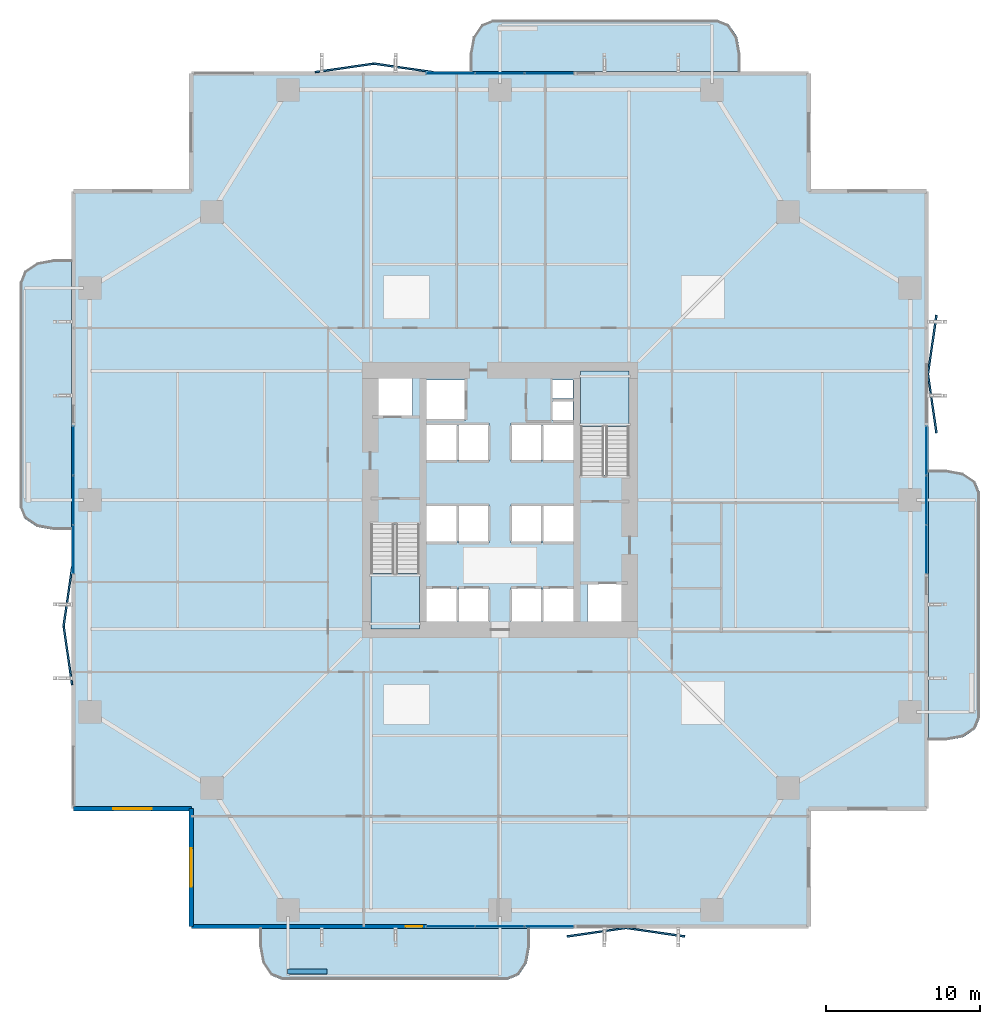
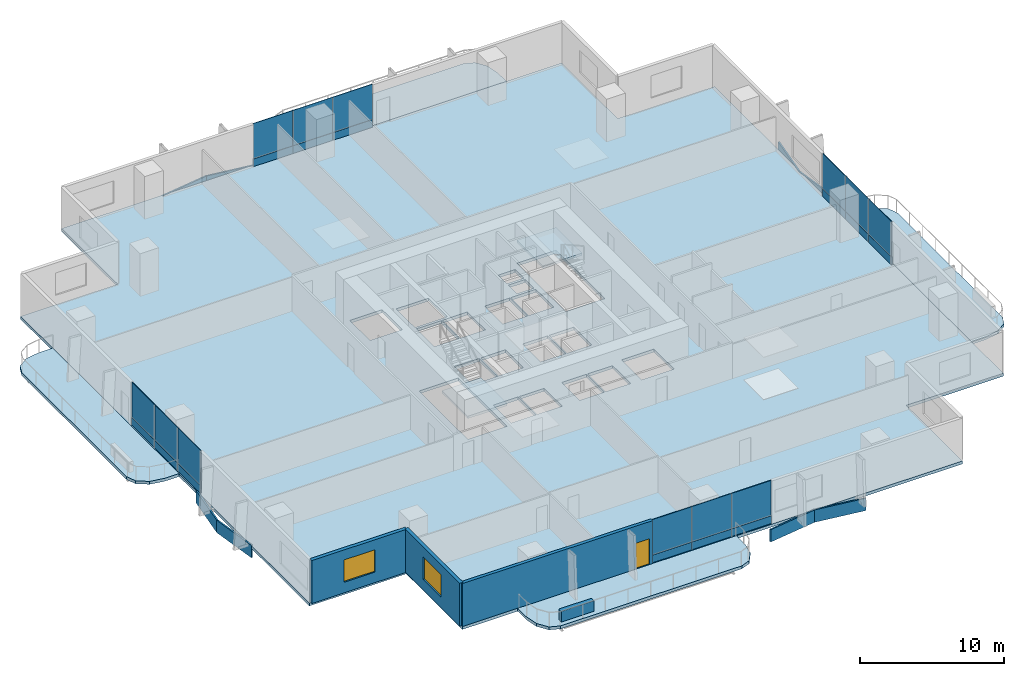
# One storey, part 16 of 23: 32 plates, 7 slabs, 4 walls, 2 windows, 1 door, 3 openings, 6 elements without a shape of their own.
"""IFC4 building model written with IfcOpenShell, lengths in metres."""

from ifc_helpers import new_model, si_unit, direction, frame, frame_2d, origin, origin_2d, place, context, subcontext, project, spatial, polyline, rectangle, outline, extrude, material, layer, layer_set, type_object, element, fill, aggregate, save


model = new_model("IFC4")

# Units and contexts
model_context = context("Model", 3, precision=1e-05, world=origin(), true_north=direction((0.0, 1.0)))
body_context = subcontext(model_context, "Body", "Model", "MODEL_VIEW")
ifc_project = project(units=[si_unit("LENGTHUNIT", "METRE"), si_unit("AREAUNIT", "SQUARE_METRE"), si_unit("VOLUMEUNIT", "CUBIC_METRE"), si_unit("PLANEANGLEUNIT", "RADIAN"), si_unit("MASSUNIT", "GRAM", prefix="KILO")], contexts=[model_context])

# Site, building, storey
site_placement = place(None, origin())
site = spatial("IfcSite", under=ifc_project, at=site_placement, CompositionType="ELEMENT")
building_placement = place(site_placement, origin())
building = spatial("IfcBuilding", under=site, at=building_placement, Name="Belovzor Exchange Tower", CompositionType="ELEMENT")
storey_placement = place(building_placement, frame((0.0, 0.0, 88.5)))
storey = spatial("IfcBuildingStorey", under=building, at=storey_placement, Name="L21", CompositionType="ELEMENT", Elevation=88.5)

# Slab
ifc_material_1 = material(Name="Concrete C40/50", Category="concrete")
ifc_layer_1 = layer(ifc_material_1, 0.25)
ifc_layer_set_1 = layer_set([ifc_layer_1], Name="Concrete C40/50")
slab_type_1 = type_object("IfcSlabType", Name="Composite Concrete Floor Deck Slab 250", PredefinedType="FLOOR", material=ifc_layer_set_1)
slab_1_placement = place(storey_placement, frame((0.0, 0.0, -0.25)))
element("IfcSlab", 1, at=slab_1_placement, inside=storey, type_object=slab_type_1, Name="SL-F250 Structural Slab L21", PredefinedType="FLOOR", context=body_context, shape_type="SweptSolid", body=[
    extrude(outline(polyline([(8.699951171875, 0.89990234375), (48.89990234375, 0.89990234375), (48.89990234375, 8.699951171875), (56.699951171875, 8.699951171875), (56.699951171875, 48.89990234375), (48.89990234375, 48.89990234375), (48.89990234375, 56.699951171875), (8.699951171875, 56.699951171875), (8.699951171875, 48.89990234375), (0.89990234375, 48.89990234375), (0.89990234375, 8.699951171875), (8.699951171875, 8.699951171875), (8.699951171875, 0.89990234375)]), holes=[polyline([(20.39990234375, 27.175048828125), (20.39990234375, 20.39990234375), (23.550048828125, 20.39990234375), (23.550048828125, 27.175048828125), (20.39990234375, 27.175048828125)]), polyline([(37.199951171875, 30.425048828125), (37.199951171875, 37.199951171875), (34.050048828125, 37.199951171875), (34.050048828125, 30.425048828125), (37.199951171875, 30.425048828125)]), polyline([(20.5, 34.199951171875), (23.10009765625, 34.199951171875), (23.10009765625, 37.0), (20.5, 37.0), (20.5, 34.199951171875)]), polyline([(34.5, 20.60009765625), (37.10009765625, 20.60009765625), (37.10009765625, 23.39990234375), (34.5, 23.39990234375), (34.5, 20.60009765625)]), polyline([(24.0, 34.0), (26.60009765625, 34.0), (26.60009765625, 36.60009765625), (24.0, 36.60009765625), (24.0, 34.0)]), polyline([(24.0, 20.60009765625), (26.0, 20.60009765625), (26.0, 23.10009765625), (24.0, 23.10009765625), (24.0, 20.60009765625)]), polyline([(26.10009765625, 20.60009765625), (28.10009765625, 20.60009765625), (28.10009765625, 23.10009765625), (26.10009765625, 23.10009765625), (26.10009765625, 20.60009765625)]), polyline([(29.5, 20.60009765625), (31.5, 20.60009765625), (31.5, 23.10009765625), (29.5, 23.10009765625), (29.5, 20.60009765625)]), polyline([(31.60009765625, 20.60009765625), (33.60009765625, 20.60009765625), (33.60009765625, 23.10009765625), (31.60009765625, 23.10009765625), (31.60009765625, 20.60009765625)]), polyline([(24.0, 26.0), (26.0, 26.0), (26.0, 28.5), (24.0, 28.5), (24.0, 26.0)]), polyline([(26.10009765625, 26.0), (28.10009765625, 26.0), (28.10009765625, 28.5), (26.10009765625, 28.5), (26.10009765625, 26.0)]), polyline([(29.5, 26.0), (31.5, 26.0), (31.5, 28.5), (29.5, 28.5), (29.5, 26.0)]), polyline([(31.60009765625, 26.0), (33.60009765625, 26.0), (33.60009765625, 28.5), (31.60009765625, 28.5), (31.60009765625, 26.0)]), polyline([(24.0, 31.300048828125), (26.0, 31.300048828125), (26.0, 33.800048828125), (24.0, 33.800048828125), (24.0, 31.300048828125)]), polyline([(26.10009765625, 31.300048828125), (28.10009765625, 31.300048828125), (28.10009765625, 33.800048828125), (26.10009765625, 33.800048828125), (26.10009765625, 31.300048828125)]), polyline([(29.5, 31.300048828125), (31.5, 31.300048828125), (31.5, 33.800048828125), (29.5, 33.800048828125), (29.5, 31.300048828125)]), polyline([(31.60009765625, 31.300048828125), (33.60009765625, 31.300048828125), (33.60009765625, 33.800048828125), (31.60009765625, 33.800048828125), (31.60009765625, 31.300048828125)]), polyline([(32.199951171875, 34.0), (33.550048828125, 34.0), (33.550048828125, 35.199951171875), (32.199951171875, 35.199951171875), (32.199951171875, 34.0)]), polyline([(32.199951171875, 35.39990234375), (33.550048828125, 35.39990234375), (33.550048828125, 36.60009765625), (32.199951171875, 36.60009765625), (32.199951171875, 35.39990234375)])]), origin(), (0.0, 0.0, 1.0), 0.25),
])

# Plates
ifc_material_2 = material(Name="Extruded Architectural Terracotta", Category="masonry")
ifc_layer_2 = layer(ifc_material_2, 0.1201171875)
ifc_layer_set_2 = layer_set([ifc_layer_2], Name="Extruded Architectural Terracotta")
plate_type_1 = type_object("IfcPlateType", Name="Folded Zigzag Terracotta Spandrel Louvre 80", PredefinedType="USERDEFINED", material=ifc_layer_set_2)
for number, where, z_axis, x_axis, name in (
    (2, (18.699951171875, 56.93505859375, -1.03515625), (0.0, 0.0, 1.0), (0.989686419138, 0.143250800258, 0.0), "LVR-ZZ1 Zigzag Terracotta Spandrel Louvre L21 N1A"),
    (3, (22.5, 56.93505859375, -1.03515625), (0.0, 0.0, 1.0), (0.989686419138, -0.143250800258, 0.0), "LVR-ZZ1 Zigzag Terracotta Spandrel Louvre L21 N1B"),
    (4, (0.6650390625, 18.699951171875, -1.03515625), (0.0, 0.0, 1.0), (-0.143250800258, 0.989686419138, 0.0), "LVR-ZZ1 Zigzag Terracotta Spandrel Louvre L21 W1A"),
    (5, (0.6650390625, 22.5, -1.03515625), (0.0, 0.0, 1.0), (0.143250800258, 0.989686419138, 0.0), "LVR-ZZ1 Zigzag Terracotta Spandrel Louvre L21 W1B"),
    (6, (35.10009765625, 0.6650390625, -1.03515625), (0.0, 0.0, 1.0), (0.989686419138, 0.143250800258, 0.0), "LVR-ZZ1 Zigzag Terracotta Spandrel Louvre L21 S2A"),
    (7, (38.89990234375, 0.6650390625, -1.03515625), (0.0, 0.0, 1.0), (0.989686419138, -0.143250800258, 0.0), "LVR-ZZ1 Zigzag Terracotta Spandrel Louvre L21 S2B"),
    (8, (56.93505859375, 35.10009765625, -1.03515625), (0.0, 0.0, 1.0), (-0.143250800258, 0.989686419138, 0.0), "LVR-ZZ1 Zigzag Terracotta Spandrel Louvre L21 E2A"),
    (9, (56.93505859375, 38.89990234375, -1.03515625), (0.0, 0.0, 1.0), (0.143250800258, 0.989686419138, 0.0), "LVR-ZZ1 Zigzag Terracotta Spandrel Louvre L21 E2B"),
):
    element("IfcPlate", number, at=place(storey_placement, frame(where, z_axis=z_axis, x_axis=x_axis)), inside=storey, type_object=plate_type_1, Name=name, ObjectType="SPANDREL_LOUVRE", PredefinedType="USERDEFINED", context=body_context, shape_type="SweptSolid", body=[
        extrude(rectangle(XDim=3.919921875, YDim=0.1201171875, at=origin_2d()), origin(), (0.0, 0.0, 1.0), 1.050048828125),
    ])

# Curtain wall, plates
ifc_material_3 = material(Name="Anodised Aluminium Framing", Category="aluminium")
ifc_layer_3 = layer(ifc_material_3, 0.179931640625)
ifc_layer_set_3 = layer_set([ifc_layer_3], Name="Anodised Aluminium Framing")
curtain_wall_type = type_object("IfcCurtainWallType", Name="Recessed Loggia Low-Iron Triple-Glazed Curtain Wall", PredefinedType="NOTDEFINED", material=ifc_layer_set_3)
curtain_wall_1_placement = place(storey_placement, origin())
curtain_wall_1 = element("IfcCurtainWall", 10, at=curtain_wall_1_placement, inside=storey, type_object=curtain_wall_type, Name="CW3 Recessed Loggia Low-Iron Triple-Glazed Curtain Wall L21", PredefinedType="NOTDEFINED")
ifc_material_4 = material(Name="Solar-Control Triple Glazing", Category="glass")
ifc_layer_4 = layer(ifc_material_4, 0.0439453125)
ifc_layer_set_4 = layer_set([ifc_layer_4], Name="Solar-Control Triple Glazing")
plate_type_2 = type_object("IfcPlateType", Name="Insulated Solar Glazing Curtain Panel 44", PredefinedType="CURTAIN_PANEL", material=ifc_layer_set_4)
plate_1_placement = place(storey_placement, frame((32.0, 1.030029296875, 0.65185546875), z_axis=(0.0, 0.0, 1.0), x_axis=(-1.0, 0.0, 0.0)))
plate_1 = element("IfcPlate", 11, at=plate_1_placement, type_object=plate_type_2, Name="GLZ-44 Glazed Curtain Panel 1", PredefinedType="CURTAIN_PANEL", context=body_context, shape_type="SweptSolid", body=[
    extrude(rectangle(XDim=3.18408203125, YDim=0.0439453125, at=origin_2d()), origin(), (0.0, 0.0, 1.0), 2.998046875),
])
plate_2_placement = place(storey_placement, frame((28.800048828125, 1.030029296875, 0.65185546875), z_axis=(0.0, 0.0, 1.0), x_axis=(-1.0, 0.0, 0.0)))
plate_2 = element("IfcPlate", 12, at=plate_2_placement, type_object=plate_type_2, Name="GLZ-44 Glazed Curtain Panel 2", PredefinedType="CURTAIN_PANEL", context=body_context, shape_type="SweptSolid", body=[
    extrude(rectangle(XDim=3.18408203125, YDim=0.0439453125, at=origin_2d()), origin(), (0.0, 0.0, 1.0), 2.998046875),
])
plate_3_placement = place(storey_placement, frame((25.60009765625, 1.030029296875, 0.65185546875), z_axis=(0.0, 0.0, 1.0), x_axis=(-1.0, 0.0, 0.0)))
plate_3 = element("IfcPlate", 13, at=plate_3_placement, type_object=plate_type_2, Name="GLZ-44 Glazed Curtain Panel 3", PredefinedType="CURTAIN_PANEL", context=body_context, shape_type="SweptSolid", body=[
    extrude(rectangle(XDim=3.18408203125, YDim=0.0439453125, at=origin_2d()), origin(), (0.0, 0.0, 1.0), 2.998046875),
])

curtain_wall_2_placement = place(storey_placement, origin())
curtain_wall_2 = element("IfcCurtainWall", 14, at=curtain_wall_2_placement, inside=storey, type_object=curtain_wall_type, Name="CW3 Recessed Loggia Low-Iron Triple-Glazed Curtain Wall L21", PredefinedType="NOTDEFINED")
plate_4_placement = place(storey_placement, frame((25.60009765625, 56.570068359375, 0.65185546875), z_axis=(0.0, 0.0, 1.0), x_axis=(1.0, 0.0, 0.0)))
plate_4 = element("IfcPlate", 15, at=plate_4_placement, type_object=plate_type_2, Name="GLZ-44 Glazed Curtain Panel 1", PredefinedType="CURTAIN_PANEL", context=body_context, shape_type="SweptSolid", body=[
    extrude(rectangle(XDim=3.18408203125, YDim=0.0439453125, at=origin_2d()), origin(), (0.0, 0.0, 1.0), 2.998046875),
])
plate_5_placement = place(storey_placement, frame((28.800048828125, 56.570068359375, 0.65185546875), z_axis=(0.0, 0.0, 1.0), x_axis=(1.0, 0.0, 0.0)))
plate_5 = element("IfcPlate", 16, at=plate_5_placement, type_object=plate_type_2, Name="GLZ-44 Glazed Curtain Panel 2", PredefinedType="CURTAIN_PANEL", context=body_context, shape_type="SweptSolid", body=[
    extrude(rectangle(XDim=3.18408203125, YDim=0.0439453125, at=origin_2d()), origin(), (0.0, 0.0, 1.0), 2.998046875),
])
plate_6_placement = place(storey_placement, frame((32.0, 56.570068359375, 0.65185546875), z_axis=(0.0, 0.0, 1.0), x_axis=(1.0, 0.0, 0.0)))
plate_6 = element("IfcPlate", 17, at=plate_6_placement, type_object=plate_type_2, Name="GLZ-44 Glazed Curtain Panel 3", PredefinedType="CURTAIN_PANEL", context=body_context, shape_type="SweptSolid", body=[
    extrude(rectangle(XDim=3.18408203125, YDim=0.0439453125, at=origin_2d()), origin(), (0.0, 0.0, 1.0), 2.998046875),
])

curtain_wall_3_placement = place(storey_placement, origin())
curtain_wall_3 = element("IfcCurtainWall", 18, at=curtain_wall_3_placement, inside=storey, type_object=curtain_wall_type, Name="CW3 Recessed Loggia Low-Iron Triple-Glazed Curtain Wall L21", PredefinedType="NOTDEFINED")
plate_7_placement = place(storey_placement, frame((1.030029296875, 25.60009765625, 0.65185546875), z_axis=(0.0, 0.0, 1.0), x_axis=(0.0, 1.0, 0.0)))
plate_7 = element("IfcPlate", 19, at=plate_7_placement, type_object=plate_type_2, Name="GLZ-44 Glazed Curtain Panel 1", PredefinedType="CURTAIN_PANEL", context=body_context, shape_type="SweptSolid", body=[
    extrude(rectangle(XDim=3.18408203125, YDim=0.0439453125, at=origin_2d()), origin(), (0.0, 0.0, 1.0), 2.998046875),
])
plate_8_placement = place(storey_placement, frame((1.030029296875, 28.800048828125, 0.65185546875), z_axis=(0.0, 0.0, 1.0), x_axis=(0.0, 1.0, 0.0)))
plate_8 = element("IfcPlate", 20, at=plate_8_placement, type_object=plate_type_2, Name="GLZ-44 Glazed Curtain Panel 2", PredefinedType="CURTAIN_PANEL", context=body_context, shape_type="SweptSolid", body=[
    extrude(rectangle(XDim=3.18408203125, YDim=0.0439453125, at=origin_2d()), origin(), (0.0, 0.0, 1.0), 2.998046875),
])
plate_9_placement = place(storey_placement, frame((1.030029296875, 32.0, 0.65185546875), z_axis=(0.0, 0.0, 1.0), x_axis=(0.0, 1.0, 0.0)))
plate_9 = element("IfcPlate", 21, at=plate_9_placement, type_object=plate_type_2, Name="GLZ-44 Glazed Curtain Panel 3", PredefinedType="CURTAIN_PANEL", context=body_context, shape_type="SweptSolid", body=[
    extrude(rectangle(XDim=3.18408203125, YDim=0.0439453125, at=origin_2d()), origin(), (0.0, 0.0, 1.0), 2.998046875),
])

curtain_wall_4_placement = place(storey_placement, origin())
curtain_wall_4 = element("IfcCurtainWall", 22, at=curtain_wall_4_placement, inside=storey, type_object=curtain_wall_type, Name="CW3 Recessed Loggia Low-Iron Triple-Glazed Curtain Wall L21", PredefinedType="NOTDEFINED")
plate_10_placement = place(storey_placement, frame((56.570068359375, 32.0, 0.65185546875), z_axis=(0.0, 0.0, 1.0), x_axis=(0.0, -1.0, 0.0)))
plate_10 = element("IfcPlate", 23, at=plate_10_placement, type_object=plate_type_2, Name="GLZ-44 Glazed Curtain Panel 1", PredefinedType="CURTAIN_PANEL", context=body_context, shape_type="SweptSolid", body=[
    extrude(rectangle(XDim=3.18408203125, YDim=0.0439453125, at=origin_2d()), origin(), (0.0, 0.0, 1.0), 2.998046875),
])
plate_11_placement = place(storey_placement, frame((56.570068359375, 28.800048828125, 0.65185546875), z_axis=(0.0, 0.0, 1.0), x_axis=(0.0, -1.0, 0.0)))
plate_11 = element("IfcPlate", 24, at=plate_11_placement, type_object=plate_type_2, Name="GLZ-44 Glazed Curtain Panel 2", PredefinedType="CURTAIN_PANEL", context=body_context, shape_type="SweptSolid", body=[
    extrude(rectangle(XDim=3.18408203125, YDim=0.0439453125, at=origin_2d()), origin(), (0.0, 0.0, 1.0), 2.998046875),
])
plate_12_placement = place(storey_placement, frame((56.570068359375, 25.60009765625, 0.65185546875), z_axis=(0.0, 0.0, 1.0), x_axis=(0.0, -1.0, 0.0)))
plate_12 = element("IfcPlate", 25, at=plate_12_placement, type_object=plate_type_2, Name="GLZ-44 Glazed Curtain Panel 3", PredefinedType="CURTAIN_PANEL", context=body_context, shape_type="SweptSolid", body=[
    extrude(rectangle(XDim=3.18408203125, YDim=0.0439453125, at=origin_2d()), origin(), (0.0, 0.0, 1.0), 2.998046875),
])

# Stair, slab
ifc_material_5 = material(Name="Concrete C40/50", Category="concrete")
stair_type = type_object("IfcStairType", Name="Reinforced Concrete Dogleg Escape Stair 1350", PredefinedType="HALF_TURN_STAIR", material=ifc_material_5)
stair_1_placement = place(storey_placement, origin())
stair_1 = element("IfcStair", 26, at=stair_1_placement, inside=storey, type_object=stair_type, Name="L21 ST-1", PredefinedType="HALF_TURN_STAIR")
ifc_material_6 = material(Name="Concrete C40/50", Category="concrete")
ifc_layer_5 = layer(ifc_material_6, 0.199951171875)
ifc_layer_set_5 = layer_set([ifc_layer_5], Name="Concrete C40/50")
slab_type_2 = type_object("IfcSlabType", Name="Reinforced Concrete Stair Half-Landing Slab 200", PredefinedType="LANDING", material=ifc_layer_set_5)
slab_2_placement = place(storey_placement, frame((0.0, 0.0, 1.75)))
slab_2 = element("IfcSlab", 27, at=slab_2_placement, type_object=slab_type_2, Name="ST-1 landing 1", PredefinedType="LANDING", context=body_context, shape_type="SweptSolid", body=[
    extrude(outline(polyline([(20.39990234375, 24.010009765625), (20.39990234375, 20.39990234375), (23.550048828125, 20.39990234375), (23.550048828125, 24.010009765625), (20.39990234375, 24.010009765625)])), origin(), (0.0, 0.0, 1.0), 0.199951171875),
])
aggregate(stair_1, [slab_2])

stair_2_placement = place(storey_placement, origin())
stair_2 = element("IfcStair", 28, at=stair_2_placement, inside=storey, type_object=stair_type, Name="L21 ST-2", PredefinedType="HALF_TURN_STAIR")
slab_3_placement = place(storey_placement, frame((0.0, 0.0, 1.75)))
slab_3 = element("IfcSlab", 29, at=slab_3_placement, type_object=slab_type_2, Name="ST-2 landing 1", PredefinedType="LANDING", context=body_context, shape_type="SweptSolid", body=[
    extrude(outline(polyline([(37.199951171875, 33.590087890625), (37.199951171875, 37.199951171875), (34.050048828125, 37.199951171875), (34.050048828125, 33.590087890625), (37.199951171875, 33.590087890625)])), origin(), (0.0, 0.0, 1.0), 0.199951171875),
])
aggregate(stair_2, [slab_3])

# Plate
ifc_material_7 = material(Name="Extruded Architectural Terracotta", Category="masonry")
ifc_layer_6 = layer(ifc_material_7, 0.090087890625)
ifc_layer_set_6 = layer_set([ifc_layer_6], Name="Extruded Architectural Terracotta")
plate_type_3 = type_object("IfcPlateType", Name="Terracotta Shadow-Box Spandrel Panel 90", PredefinedType="CURTAIN_PANEL", material=ifc_layer_set_6)
plate_13_placement = place(storey_placement, frame((32.0, 1.030029296875, 0.0), z_axis=(0.0, 0.0, 1.0), x_axis=(-1.0, 0.0, 0.0)))
plate_13 = element("IfcPlate", 30, at=plate_13_placement, type_object=plate_type_3, Name="SPD-90 Spandrel Panel 1", PredefinedType="CURTAIN_PANEL", context=body_context, shape_type="SweptSolid", body=[
    extrude(rectangle(XDim=3.18408203125, YDim=0.090087890625, at=origin_2d()), origin(), (0.0, 0.0, 1.0), 0.64794921875),
])

plate_14_placement = place(storey_placement, frame((28.800048828125, 1.030029296875, 0.0), z_axis=(0.0, 0.0, 1.0), x_axis=(-1.0, 0.0, 0.0)))
plate_14 = element("IfcPlate", 31, at=plate_14_placement, type_object=plate_type_3, Name="SPD-90 Spandrel Panel 2", PredefinedType="CURTAIN_PANEL", context=body_context, shape_type="SweptSolid", body=[
    extrude(rectangle(XDim=3.18408203125, YDim=0.090087890625, at=origin_2d()), origin(), (0.0, 0.0, 1.0), 0.64794921875),
])

plate_15_placement = place(storey_placement, frame((25.60009765625, 1.030029296875, 0.0), z_axis=(0.0, 0.0, 1.0), x_axis=(-1.0, 0.0, 0.0)))
plate_15 = element("IfcPlate", 32, at=plate_15_placement, type_object=plate_type_3, Name="SPD-90 Spandrel Panel 3", PredefinedType="CURTAIN_PANEL", context=body_context, shape_type="SweptSolid", body=[
    extrude(rectangle(XDim=3.18408203125, YDim=0.090087890625, at=origin_2d()), origin(), (0.0, 0.0, 1.0), 0.64794921875),
])

aggregate(curtain_wall_1, [plate_13, plate_1, plate_14, plate_2, plate_15, plate_3])

plate_16_placement = place(storey_placement, frame((25.60009765625, 56.570068359375, 0.0), z_axis=(0.0, 0.0, 1.0), x_axis=(1.0, 0.0, 0.0)))
plate_16 = element("IfcPlate", 33, at=plate_16_placement, type_object=plate_type_3, Name="SPD-90 Spandrel Panel 1", PredefinedType="CURTAIN_PANEL", context=body_context, shape_type="SweptSolid", body=[
    extrude(rectangle(XDim=3.18408203125, YDim=0.090087890625, at=origin_2d()), origin(), (0.0, 0.0, 1.0), 0.64794921875),
])

plate_17_placement = place(storey_placement, frame((28.800048828125, 56.570068359375, 0.0), z_axis=(0.0, 0.0, 1.0), x_axis=(1.0, 0.0, 0.0)))
plate_17 = element("IfcPlate", 34, at=plate_17_placement, type_object=plate_type_3, Name="SPD-90 Spandrel Panel 2", PredefinedType="CURTAIN_PANEL", context=body_context, shape_type="SweptSolid", body=[
    extrude(rectangle(XDim=3.18408203125, YDim=0.090087890625, at=origin_2d()), origin(), (0.0, 0.0, 1.0), 0.64794921875),
])

plate_18_placement = place(storey_placement, frame((32.0, 56.570068359375, 0.0), z_axis=(0.0, 0.0, 1.0), x_axis=(1.0, 0.0, 0.0)))
plate_18 = element("IfcPlate", 35, at=plate_18_placement, type_object=plate_type_3, Name="SPD-90 Spandrel Panel 3", PredefinedType="CURTAIN_PANEL", context=body_context, shape_type="SweptSolid", body=[
    extrude(rectangle(XDim=3.18408203125, YDim=0.090087890625, at=origin_2d()), origin(), (0.0, 0.0, 1.0), 0.64794921875),
])

aggregate(curtain_wall_2, [plate_16, plate_4, plate_17, plate_5, plate_18, plate_6])

plate_19_placement = place(storey_placement, frame((1.030029296875, 25.60009765625, 0.0), z_axis=(0.0, 0.0, 1.0), x_axis=(0.0, 1.0, 0.0)))
plate_19 = element("IfcPlate", 36, at=plate_19_placement, type_object=plate_type_3, Name="SPD-90 Spandrel Panel 1", PredefinedType="CURTAIN_PANEL", context=body_context, shape_type="SweptSolid", body=[
    extrude(rectangle(XDim=3.18408203125, YDim=0.090087890625, at=origin_2d()), origin(), (0.0, 0.0, 1.0), 0.64794921875),
])

plate_20_placement = place(storey_placement, frame((1.030029296875, 28.800048828125, 0.0), z_axis=(0.0, 0.0, 1.0), x_axis=(0.0, 1.0, 0.0)))
plate_20 = element("IfcPlate", 37, at=plate_20_placement, type_object=plate_type_3, Name="SPD-90 Spandrel Panel 2", PredefinedType="CURTAIN_PANEL", context=body_context, shape_type="SweptSolid", body=[
    extrude(rectangle(XDim=3.18408203125, YDim=0.090087890625, at=origin_2d()), origin(), (0.0, 0.0, 1.0), 0.64794921875),
])

plate_21_placement = place(storey_placement, frame((1.030029296875, 32.0, 0.0), z_axis=(0.0, 0.0, 1.0), x_axis=(0.0, 1.0, 0.0)))
plate_21 = element("IfcPlate", 38, at=plate_21_placement, type_object=plate_type_3, Name="SPD-90 Spandrel Panel 3", PredefinedType="CURTAIN_PANEL", context=body_context, shape_type="SweptSolid", body=[
    extrude(rectangle(XDim=3.18408203125, YDim=0.090087890625, at=origin_2d()), origin(), (0.0, 0.0, 1.0), 0.64794921875),
])

aggregate(curtain_wall_3, [plate_19, plate_7, plate_20, plate_8, plate_21, plate_9])

plate_22_placement = place(storey_placement, frame((56.570068359375, 32.0, 0.0), z_axis=(0.0, 0.0, 1.0), x_axis=(0.0, -1.0, 0.0)))
plate_22 = element("IfcPlate", 39, at=plate_22_placement, type_object=plate_type_3, Name="SPD-90 Spandrel Panel 1", PredefinedType="CURTAIN_PANEL", context=body_context, shape_type="SweptSolid", body=[
    extrude(rectangle(XDim=3.18408203125, YDim=0.090087890625, at=origin_2d()), origin(), (0.0, 0.0, 1.0), 0.64794921875),
])

plate_23_placement = place(storey_placement, frame((56.570068359375, 28.800048828125, 0.0), z_axis=(0.0, 0.0, 1.0), x_axis=(0.0, -1.0, 0.0)))
plate_23 = element("IfcPlate", 40, at=plate_23_placement, type_object=plate_type_3, Name="SPD-90 Spandrel Panel 2", PredefinedType="CURTAIN_PANEL", context=body_context, shape_type="SweptSolid", body=[
    extrude(rectangle(XDim=3.18408203125, YDim=0.090087890625, at=origin_2d()), origin(), (0.0, 0.0, 1.0), 0.64794921875),
])

plate_24_placement = place(storey_placement, frame((56.570068359375, 25.60009765625, 0.0), z_axis=(0.0, 0.0, 1.0), x_axis=(0.0, -1.0, 0.0)))
plate_24 = element("IfcPlate", 41, at=plate_24_placement, type_object=plate_type_3, Name="SPD-90 Spandrel Panel 3", PredefinedType="CURTAIN_PANEL", context=body_context, shape_type="SweptSolid", body=[
    extrude(rectangle(XDim=3.18408203125, YDim=0.090087890625, at=origin_2d()), origin(), (0.0, 0.0, 1.0), 0.64794921875),
])

aggregate(curtain_wall_4, [plate_22, plate_10, plate_23, plate_11, plate_24, plate_12])

# Slabs
ifc_material_8 = material(Name="Concrete C40/50", Category="concrete")
ifc_layer_7 = layer(ifc_material_8, 0.25)
ifc_layer_set_7 = layer_set([ifc_layer_7], Name="Concrete C40/50")
slab_type_3 = type_object("IfcSlabType", Name="Thermally Broken Planted Balcony Slab 250", PredefinedType="FLOOR", material=ifc_layer_set_7)
slab_4_placement = place(storey_placement, frame((0.0, 0.0, -0.25)))
element("IfcSlab", 42, at=slab_4_placement, inside=storey, type_object=slab_type_3, Name="SL-BAL220 Planted Balcony Loggia L21 South", PredefinedType="FLOOR", context=body_context, shape_type="SweptSolid", body=[
    extrude(outline(polyline([(13.14990234375, 0.9150390625), (13.14990234375, -0.25), (13.35107421875, -1.35009765625), (13.89990234375, -2.155029296875), (14.64990234375, -2.449951171875), (29.25, -2.449951171875), (30.0, -2.155029296875), (30.549072265625, -1.35009765625), (30.75, -0.25), (30.75, 0.9150390625), (13.14990234375, 0.9150390625)])), origin(), (0.0, 0.0, 1.0), 0.25),
])
slab_5_placement = place(storey_placement, frame((0.0, 0.0, -0.25)))
element("IfcSlab", 43, at=slab_5_placement, inside=storey, type_object=slab_type_3, Name="SL-BAL220 Planted Balcony Loggia L21 North", PredefinedType="FLOOR", context=body_context, shape_type="SweptSolid", body=[
    extrude(outline(polyline([(44.449951171875, 56.68505859375), (44.449951171875, 57.85009765625), (44.2490234375, 58.949951171875), (43.699951171875, 59.7548828125), (42.949951171875, 60.050048828125), (28.35009765625, 60.050048828125), (27.60009765625, 59.7548828125), (27.051025390625, 58.949951171875), (26.85009765625, 57.85009765625), (26.85009765625, 56.68505859375), (44.449951171875, 56.68505859375)])), origin(), (0.0, 0.0, 1.0), 0.25),
])
slab_6_placement = place(storey_placement, frame((0.0, 0.0, -0.25)))
element("IfcSlab", 44, at=slab_6_placement, inside=storey, type_object=slab_type_3, Name="SL-BAL220 Planted Balcony Loggia L21 East", PredefinedType="FLOOR", context=body_context, shape_type="SweptSolid", body=[
    extrude(outline(polyline([(56.68505859375, 13.14990234375), (57.85009765625, 13.14990234375), (58.949951171875, 13.35107421875), (59.7548828125, 13.89990234375), (60.050048828125, 14.64990234375), (60.050048828125, 29.25), (59.7548828125, 30.0), (58.949951171875, 30.549072265625), (57.85009765625, 30.75), (56.68505859375, 30.75), (56.68505859375, 13.14990234375)])), origin(), (0.0, 0.0, 1.0), 0.25),
])
slab_7_placement = place(storey_placement, frame((0.0, 0.0, -0.25)))
element("IfcSlab", 45, at=slab_7_placement, inside=storey, type_object=slab_type_3, Name="SL-BAL220 Planted Balcony Loggia L21 West", PredefinedType="FLOOR", context=body_context, shape_type="SweptSolid", body=[
    extrude(outline(polyline([(0.9150390625, 44.449951171875), (-0.25, 44.449951171875), (-1.35009765625, 44.2490234375), (-2.155029296875, 43.699951171875), (-2.449951171875, 42.949951171875), (-2.449951171875, 28.35009765625), (-2.155029296875, 27.60009765625), (-1.35009765625, 27.051025390625), (-0.25, 26.85009765625), (0.9150390625, 26.85009765625), (0.9150390625, 44.449951171875)])), origin(), (0.0, 0.0, 1.0), 0.25),
])

# Wall, opening, window
ifc_material_9 = material(Name="Precast concrete C40/50", Category="concrete")
ifc_layer_8 = layer(ifc_material_9, 0.280029296875)
ifc_layer_set_8 = layer_set([ifc_layer_8], Name="Precast concrete C40/50")
wall_type_1 = type_object("IfcWallType", Name="Precast Concrete Notched Corner Frame Wall 280", PredefinedType="SOLIDWALL", material=ifc_layer_set_8)
wall_1_placement = place(storey_placement, frame((8.699951171875, 1.030029296875, 0.0), z_axis=(0.0, 0.0, 1.0), x_axis=(0.0, 1.0, 0.0)))
wall_1 = element("IfcWall", 46, at=wall_1_placement, inside=storey, type_object=wall_type_1, Name="W-CRN280 Precast Concrete Notched Corner Frame Wall 280 L21", PredefinedType="SOLIDWALL", context=body_context, shape_type="SweptSolid", body=[
    extrude(rectangle(XDim=7.669921875, YDim=0.280029296875, at=frame_2d((3.8349609375, 0.0))), origin(), (0.0, 0.0, 1.0), 3.64990234375),
])
opening_1_placement = place(wall_1_placement, frame((2.5849609375, 0.0, 0.89990234375)))
opening_1 = element("IfcOpeningElement", 47, at=opening_1_placement, cuts=wall_1, Name="Opening WN-CRN250", PredefinedType="OPENING", context=body_context, shape_type="SweptSolid", body=[
    extrude(rectangle(XDim=2.5, YDim=1.89990234375, at=frame_2d((1.25, 0.949951171875))), frame((0.0, 0.14990234375, 0.0), z_axis=(0.0, -1.0, 0.0), x_axis=(1.0, 0.0, 0.0)), (0.0, 0.0, 1.0), 0.300048828125),
])
ifc_material_10 = material(Name="Thermally Broken Aluminium and Triple Glazing", Category="aluminium")
window_type = type_object("IfcWindowType", Name="Streamline Moderne Corner Wrap Ribbon Window 2500x1900", PartitioningType="SINGLE_PANEL", PredefinedType="WINDOW", material=ifc_material_10)
window_1_placement = place(opening_1_placement, origin())
window_1 = element("IfcWindow", 48, at=window_1_placement, inside=storey, type_object=window_type, Name="WN-CRN250 Streamline Moderne Corner Wrap Ribbon Window 2500x1900", OverallHeight=1.89990234375, OverallWidth=2.5, PartitioningType="SINGLE_PANEL", PredefinedType="WINDOW", context=body_context, shape_type="SweptSolid", body=[
    extrude(rectangle(XDim=2.5, YDim=1.89990234375, at=frame_2d((1.25, 0.949951171875))), frame((0.0, 0.030029296875, 0.0), z_axis=(0.0, -1.0, 0.0), x_axis=(1.0, 0.0, 0.0)), (0.0, 0.0, 1.0), 0.06005859375),
])
fill(opening_1, window_1)

wall_2_placement = place(storey_placement, frame((8.699951171875, 8.699951171875, 0.0), z_axis=(0.0, 0.0, 1.0), x_axis=(-1.0, 0.0, 0.0)))
wall_2 = element("IfcWall", 49, at=wall_2_placement, inside=storey, type_object=wall_type_1, Name="W-CRN280 Precast Concrete Notched Corner Frame Wall 280 L21", PredefinedType="SOLIDWALL", context=body_context, shape_type="SweptSolid", body=[
    extrude(rectangle(XDim=7.669921875, YDim=0.280029296875, at=frame_2d((3.8349609375, 0.0))), origin(), (0.0, 0.0, 1.0), 3.64990234375),
])
opening_2_placement = place(wall_2_placement, frame((2.5849609375, 0.0, 0.89990234375)))
opening_2 = element("IfcOpeningElement", 50, at=opening_2_placement, cuts=wall_2, Name="Opening WN-CRN250", PredefinedType="OPENING", context=body_context, shape_type="SweptSolid", body=[
    extrude(rectangle(XDim=2.5, YDim=1.89990234375, at=frame_2d((1.25, 0.949951171875))), frame((0.0, 0.14990234375, 0.0), z_axis=(0.0, -1.0, 0.0), x_axis=(1.0, 0.0, 0.0)), (0.0, 0.0, 1.0), 0.300048828125),
])
window_2_placement = place(opening_2_placement, origin())
window_2 = element("IfcWindow", 51, at=window_2_placement, inside=storey, type_object=window_type, Name="WN-CRN250 Streamline Moderne Corner Wrap Ribbon Window 2500x1900", OverallHeight=1.89990234375, OverallWidth=2.5, PartitioningType="SINGLE_PANEL", PredefinedType="WINDOW", context=body_context, shape_type="SweptSolid", body=[
    extrude(rectangle(XDim=2.5, YDim=1.89990234375, at=frame_2d((1.25, 0.949951171875))), frame((0.0, 0.030029296875, 0.0), z_axis=(0.0, -1.0, 0.0), x_axis=(1.0, 0.0, 0.0)), (0.0, 0.0, 1.0), 0.06005859375),
])
fill(opening_2, window_2)

# Wall, opening, door
ifc_material_11 = material(Name="Precast concrete C40/50", Category="concrete")
ifc_layer_9 = layer(ifc_material_11, 0.260009765625)
ifc_layer_set_9 = layer_set([ifc_layer_9], Name="Precast concrete C40/50")
wall_type_2 = type_object("IfcWallType", Name="Precast Concrete Perimeter Loggia Frame Wall 260", PredefinedType="SOLIDWALL", material=ifc_layer_set_9)
wall_3_placement = place(storey_placement, frame((24.0, 1.030029296875, 0.0), z_axis=(0.0, 0.0, 1.0), x_axis=(-1.0, 0.0, 0.0)))
wall_3 = element("IfcWall", 52, at=wall_3_placement, inside=storey, type_object=wall_type_2, Name="W-EXT260 Precast Concrete Perimeter Loggia Frame Wall 260 L21", PredefinedType="SOLIDWALL", context=body_context, shape_type="SweptSolid", body=[
    extrude(rectangle(XDim=15.300048828125, YDim=0.260009765625, at=frame_2d((7.64990234375, 0.0))), origin(), (0.0, 0.0, 1.0), 3.64990234375),
])
opening_3_placement = place(wall_3_placement, frame((0.25, 0.0, 0.0)))
opening_3 = element("IfcOpeningElement", 53, at=opening_3_placement, cuts=wall_3, Name="Opening D-BAL110", PredefinedType="OPENING", context=body_context, shape_type="SweptSolid", body=[
    extrude(rectangle(XDim=1.10009765625, YDim=2.199951171875, at=frame_2d((0.550048828125, 1.10009765625))), frame((0.0, 0.139892578125, 0.0), z_axis=(0.0, -1.0, 0.0), x_axis=(1.0, 0.0, 0.0)), (0.0, 0.0, 1.0), 0.280029296875),
])
ifc_material_12 = material(Name="Thermally Broken Anodised Aluminium and Laminated Glass", Category="aluminium")
door_type = type_object("IfcDoorType", Name="Planted Loggia Terrace Glazed Door 1100x2200", OperationType="SINGLE_SWING_LEFT", PredefinedType="DOOR", material=ifc_material_12)
door_placement = place(opening_3_placement, origin())
door = element("IfcDoor", 54, at=door_placement, inside=storey, type_object=door_type, Name="D-BAL110 Balcony Terrace Door L21 S", OperationType="SINGLE_SWING_LEFT", OverallHeight=2.199951171875, OverallWidth=1.10009765625, PredefinedType="DOOR", context=body_context, shape_type="SweptSolid", body=[
    extrude(rectangle(XDim=1.10009765625, YDim=2.199951171875, at=frame_2d((0.550048828125, 1.10009765625))), frame((0.0, 0.02490234375, 0.0), z_axis=(0.0, -1.0, 0.0), x_axis=(1.0, 0.0, 0.0)), (0.0, 0.0, 1.0), 0.050048828125),
])
fill(opening_3, door)

# Wall
ifc_material_13 = material(Name="Precast concrete C40/50", Category="concrete")
ifc_layer_10 = layer(ifc_material_13, 0.35009765625)
ifc_layer_set_10 = layer_set([ifc_layer_10], Name="Precast concrete C40/50")
wall_type_3 = type_object("IfcWallType", Name="Precast Concrete Structural Tree Planter Trough 350", PredefinedType="PARAPET", material=ifc_layer_set_10)
wall_4_placement = place(storey_placement, frame((14.949951171875, -1.89990234375, 0.0), z_axis=(0.0, 0.0, 1.0), x_axis=(1.0, 0.0, 0.0)))
element("IfcWall", 55, at=wall_4_placement, inside=storey, type_object=wall_type_3, Name="PT-350 Precast Concrete Structural Tree Planter Trough 350 L21", PredefinedType="PARAPET", context=body_context, shape_type="SweptSolid", body=[
    extrude(rectangle(XDim=2.60009765625, YDim=0.35009765625, at=frame_2d((1.300048828125, 0.0))), origin(), (0.0, 0.0, 1.0), 0.89990234375),
])

save(model, "model.ifc")
